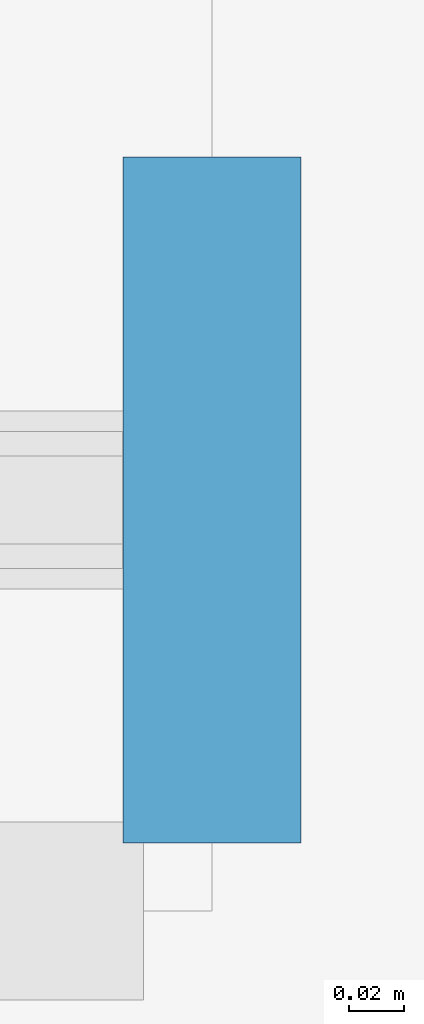
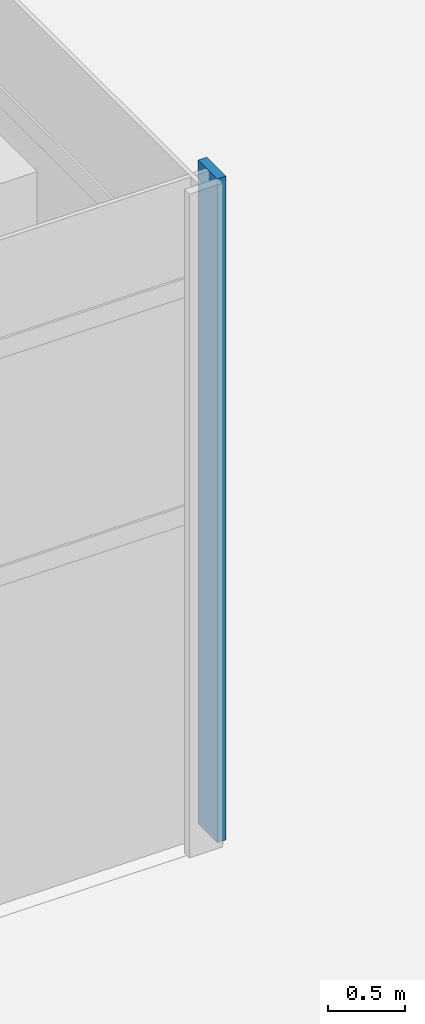
# One storey, part 7 of 27: 1 member, 1 element without a shape of its own.
"""IFC4 building model written with IfcOpenShell, lengths in metres."""

from ifc_helpers import new_model, si_unit, direction, frame, origin, origin_2d, place, context, subcontext, project, spatial, rectangle, extrude, material, material_profile, profile_set, type_object, element, aggregate, save


model = new_model("IFC4")

# Units and contexts
model_context = context("Model", 3, precision=1e-05, world=origin(), true_north=direction((0.0, 1.0)))
body_context = subcontext(model_context, "Body", "Model", "MODEL_VIEW")
ifc_project = project(units=[si_unit("LENGTHUNIT", "METRE"), si_unit("AREAUNIT", "SQUARE_METRE"), si_unit("VOLUMEUNIT", "CUBIC_METRE"), si_unit("PLANEANGLEUNIT", "RADIAN"), si_unit("MASSUNIT", "GRAM", prefix="KILO")], contexts=[model_context])

# Site, building, storey
site_placement = place(None, origin())
site = spatial("IfcSite", under=ifc_project, at=site_placement, CompositionType="ELEMENT")
building_placement = place(site_placement, origin())
building = spatial("IfcBuilding", under=site, at=building_placement, Name="Turquesa Mirador Hotel Tower", CompositionType="ELEMENT")
storey_placement = place(building_placement, origin())
storey = spatial("IfcBuildingStorey", under=building, at=storey_placement, Name="L00", CompositionType="ELEMENT", Elevation=0.0)

# Curtain wall, member
ifc_material_1 = material(Name="Aluminium extrusion", Category="aluminium")
curtain_wall_type = type_object("IfcCurtainWallType", Name="CW-1 LOBBY CURTAIN WALL", PredefinedType="USERDEFINED", material=ifc_material_1)
curtain_wall_placement = place(storey_placement, origin())
curtain_wall = element("IfcCurtainWall", 1, at=curtain_wall_placement, inside=storey, type_object=curtain_wall_type, Name="CW-1 LOBBY CURTAIN WALL L00", ObjectType="CURTAIN WALL", PredefinedType="USERDEFINED")
ifc_material_2 = material(Name="Aluminium extrusion", Category="aluminium")
ifc_material_profile = material_profile(ifc_material_2, rectangle(XDim=0.06494140625, YDim=0.25, at=origin_2d()), Name="MULLION 65X250")
ifc_profile_set = profile_set([ifc_material_profile], Name="Aluminium extrusion")
member_type = type_object("IfcMemberType", Name="CW MULLION 65X250", PredefinedType="MULLION", material=ifc_profile_set)
member_placement = place(storey_placement, frame((87.0, 19.14990234375, 0.0), z_axis=(0.0, 0.0, 1.0), x_axis=(1.0, 0.0, 0.0)))
member = element("IfcMember", 2, at=member_placement, type_object=member_type, Name="Mullion", PredefinedType="MULLION", context=body_context, shape_type="SweptSolid", body=[
    extrude(rectangle(XDim=0.06494140625, YDim=0.25, at=origin_2d()), origin(), (0.0, 0.0, 1.0), 5.25),
])
aggregate(curtain_wall, [member])

save(model, "model.ifc")
